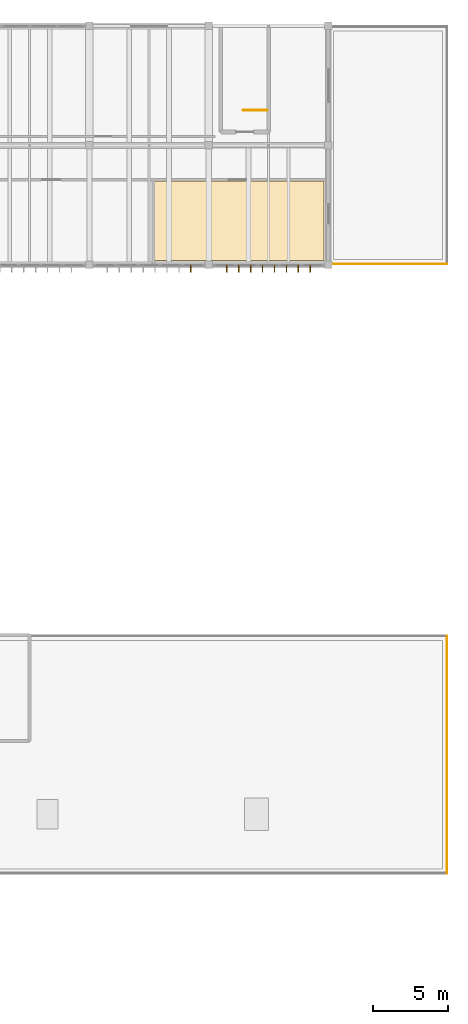
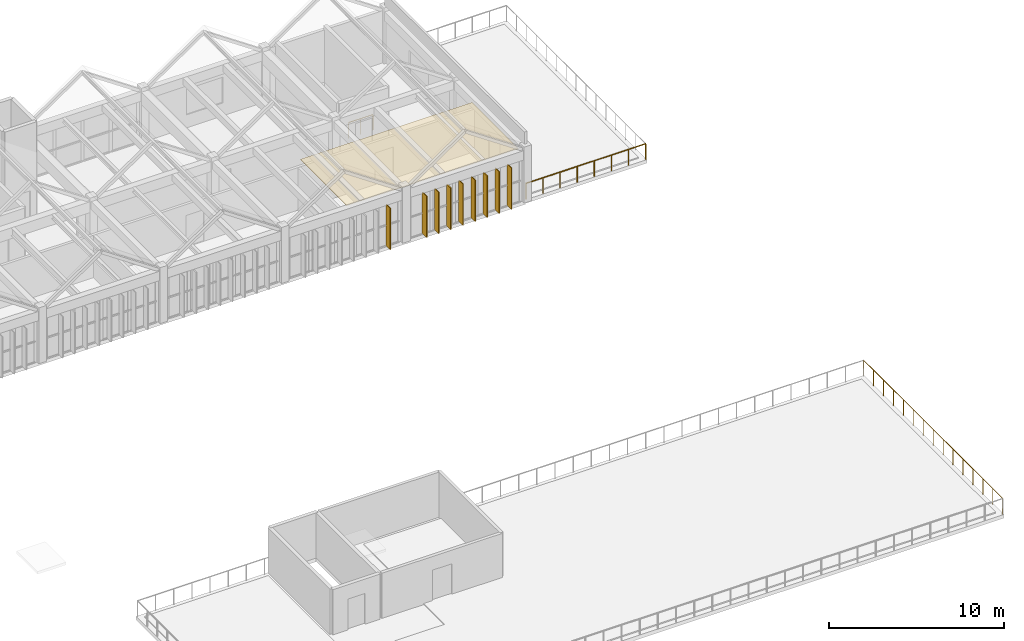
# One storey, part 30 of 31: 9 shading devices, 3 railings, 1 covering.
"""IFC4 building model written with IfcOpenShell, lengths in metres."""

from ifc_helpers import new_model, si_unit, direction, frame, origin, origin_2d, place, context, subcontext, project, spatial, polyline, rectangle, circle, outline, extrude, material, layer, layer_set, type_object, element, save


model = new_model("IFC4")

# Units and contexts
model_context = context("Model", 3, precision=1e-05, world=origin(), true_north=direction((0.0, 1.0)))
body_context = subcontext(model_context, "Body", "Model", "MODEL_VIEW")
ifc_project = project(units=[si_unit("LENGTHUNIT", "METRE"), si_unit("AREAUNIT", "SQUARE_METRE"), si_unit("VOLUMEUNIT", "CUBIC_METRE"), si_unit("PLANEANGLEUNIT", "RADIAN"), si_unit("MASSUNIT", "GRAM", prefix="KILO")], contexts=[model_context])

# Site, building, storey
site_placement = place(None, origin())
site = spatial("IfcSite", under=ifc_project, at=site_placement, CompositionType="ELEMENT")
building_placement = place(site_placement, origin())
building = spatial("IfcBuilding", under=site, at=building_placement, Name="Tlaxcora Railside Police Headquarters", CompositionType="ELEMENT")
storey_placement = place(building_placement, frame((0.0, 0.0, 18.0)))
storey = spatial("IfcBuildingStorey", under=building, at=storey_placement, Name="L04", CompositionType="ELEMENT", Elevation=18.0)

# Covering
ifc_material_1 = material(Name="Mineral-fibre acoustic ceiling tile")
ifc_layer_1 = layer(ifc_material_1, 0.034912109375, Name="Mineral-fibre acoustic ceiling tile")
ifc_layer_set_1 = layer_set([ifc_layer_1], Name="Mineral-fibre acoustic ceiling tile")
covering_type = type_object("IfcCoveringType", Name="Acoustic Suspended Ceiling CLG-01", PredefinedType="CEILING", material=ifc_layer_set_1)
covering_placement = place(storey_placement, frame((0.0, 0.0, 3.465087890625)))
element("IfcCovering", 1, at=covering_placement, inside=storey, type_object=covering_type, Name="Expert Court-Testimony Preparation Room suspended ceiling", PredefinedType="CEILING", context=body_context, shape_type="SweptSolid", body=[
    extrude(outline(polyline([(131.175048828125, 77.10009765625), (142.5, 77.10009765625), (142.5, 82.39990234375), (131.175048828125, 82.39990234375), (131.175048828125, 77.10009765625)])), origin(), (0.0, 0.0, 1.0), 0.034912109375),
])

# Shading devices
ifc_material_2 = material(Name="Bronze-anodised perforated aluminium sheet", Category="aluminium")
ifc_layer_2 = layer(ifc_material_2, 0.06494140625, Name="Bronze-anodised perforated aluminium sheet")
ifc_layer_set_2 = layer_set([ifc_layer_2], Name="Bronze-anodised perforated aluminium sheet")
shading_device_type = type_object("IfcShadingDeviceType", Name="Solar Control Fin SF-02", PredefinedType="JALOUSIE", material=ifc_layer_set_2)
for number, where, z_axis, x_axis, name in (
    (2, (133.60009765625, 76.5400390625, 0.0400390625), (0.0, 0.0, 1.0), (0.0, -1.0, 0.0), "Vertical solar fin 959"),
    (3, (136.0, 76.5400390625, 0.0400390625), (0.0, 0.0, 1.0), (0.0, -1.0, 0.0), "Vertical solar fin 960"),
    (4, (136.800048828125, 76.5400390625, 0.0400390625), (0.0, 0.0, 1.0), (0.0, -1.0, 0.0), "Vertical solar fin 961"),
    (5, (137.60009765625, 76.5400390625, 0.0400390625), (0.0, 0.0, 1.0), (0.0, -1.0, 0.0), "Vertical solar fin 962"),
    (6, (138.39990234375, 76.5400390625, 0.0400390625), (0.0, 0.0, 1.0), (0.0, -1.0, 0.0), "Vertical solar fin 963"),
    (7, (139.199951171875, 76.5400390625, 0.0400390625), (0.0, 0.0, 1.0), (0.0, -1.0, 0.0), "Vertical solar fin 964"),
    (8, (140.0, 76.5400390625, 0.0400390625), (0.0, 0.0, 1.0), (0.0, -1.0, 0.0), "Vertical solar fin 965"),
    (9, (140.800048828125, 76.5400390625, 0.0400390625), (0.0, 0.0, 1.0), (0.0, -1.0, 0.0), "Vertical solar fin 966"),
    (10, (141.60009765625, 76.5400390625, 0.0400390625), (0.0, 0.0, 1.0), (0.0, -1.0, 0.0), "Vertical solar fin 967"),
):
    element("IfcShadingDevice", number, at=place(storey_placement, frame(where, z_axis=z_axis, x_axis=x_axis)), inside=storey, type_object=shading_device_type, Name=name, PredefinedType="JALOUSIE", context=body_context, shape_type="SweptSolid", body=[
        extrude(rectangle(XDim=0.47998046875, YDim=0.054931640625, at=origin_2d()), origin(), (0.0, 0.0, 1.0), 2.89990234375),
    ])

# Railings
ifc_material_3 = material(Name="Steel ASTM A992 Grade 50", Category="steel")
railing_type_1 = type_object("IfcRailingType", Name="Stair Well Guard Balustrade GR-02", PredefinedType="BALUSTRADE", material=ifc_material_3)
railing_1_placement = place(storey_placement, frame((138.7099609375, 87.159912109375, 0.0)))
element("IfcRailing", 11, at=railing_1_placement, inside=storey, type_object=railing_type_1, Name="L04 ST8 top well guard 1", PredefinedType="BALUSTRADE", context=body_context, shape_type="SweptSolid", body=[
    extrude(circle(Radius=0.02392578125, at=origin_2d()), frame((0.0, 0.0, 1.09619140625), z_axis=(-1.0, 0.0, 0.0), x_axis=(0.0, -1.0, 0.0)), (0.0, 0.0, 1.0), 1.599853515625),
    extrude(circle(Radius=0.02099609375, at=origin_2d()), origin(), (0.0, 0.0, 1.0), 1.072021484375),
    extrude(circle(Radius=0.02099609375, at=origin_2d()), frame((-0.7998046875, 0.0, 0.0)), (0.0, 0.0, 1.0), 1.072021484375),
    extrude(circle(Radius=0.02099609375, at=origin_2d()), frame((-1.599853515625, 0.0, 0.0)), (0.0, 0.0, 1.0), 1.072021484375),
])
railing_type_2 = type_object("IfcRailingType", Name="Terrace Perimeter Guard Balustrade GR-01", PredefinedType="BALUSTRADE", material=ifc_material_3)
railing_2_placement = place(storey_placement, frame((142.85009765625, 76.85009765625, 0.0)))
element("IfcRailing", 12, at=railing_2_placement, inside=storey, type_object=railing_type_2, Name="TERR-V6-L04-E perimeter guard 1", PredefinedType="BALUSTRADE", context=body_context, shape_type="SweptSolid", body=[
    extrude(circle(Radius=0.02392578125, at=origin_2d()), frame((0.0, 0.0, 1.09619140625), z_axis=(1.0, 0.0, 0.0), x_axis=(0.0, 1.0, 0.0)), (0.0, 0.0, 1.0), 7.89990234375),
    extrude(circle(Radius=0.02099609375, at=origin_2d()), origin(), (0.0, 0.0, 1.0), 1.072021484375),
    extrude(circle(Radius=0.02099609375, at=origin_2d()), frame((1.128662109375, 0.0, 0.0)), (0.0, 0.0, 1.0), 1.072021484375),
    extrude(circle(Radius=0.02099609375, at=origin_2d()), frame((2.257080078125, 0.0, 0.0)), (0.0, 0.0, 1.0), 1.072021484375),
    extrude(circle(Radius=0.02099609375, at=origin_2d()), frame((3.3857421875, 0.0, 0.0)), (0.0, 0.0, 1.0), 1.072021484375),
    extrude(circle(Radius=0.02099609375, at=origin_2d()), frame((4.51416015625, 0.0, 0.0)), (0.0, 0.0, 1.0), 1.072021484375),
    extrude(circle(Radius=0.02099609375, at=origin_2d()), frame((5.642822265625, 0.0, 0.0)), (0.0, 0.0, 1.0), 1.072021484375),
    extrude(circle(Radius=0.02099609375, at=origin_2d()), frame((6.771240234375, 0.0, 0.0)), (0.0, 0.0, 1.0), 1.072021484375),
    extrude(circle(Radius=0.02099609375, at=origin_2d()), frame((7.89990234375, 0.0, 0.0)), (0.0, 0.0, 1.0), 1.072021484375),
])
railing_3_placement = place(storey_placement, frame((150.75, 36.050048828125, 0.0)))
element("IfcRailing", 13, at=railing_3_placement, inside=storey, type_object=railing_type_2, Name="TERR-V7-L04-RG perimeter guard 2", PredefinedType="BALUSTRADE", context=body_context, shape_type="SweptSolid", body=[
    extrude(circle(Radius=0.02392578125, at=origin_2d()), frame((0.0, 0.0, 1.09619140625), z_axis=(0.0, 1.0, 0.0), x_axis=(-1.0, 0.0, 0.0)), (0.0, 0.0, 1.0), 15.89990234375),
    extrude(circle(Radius=0.02099609375, at=origin_2d()), origin(), (0.0, 0.0, 1.0), 1.072021484375),
    extrude(circle(Radius=0.02099609375, at=origin_2d()), frame((0.0, 1.1357421875, 0.0)), (0.0, 0.0, 1.0), 1.072021484375),
    extrude(circle(Radius=0.02099609375, at=origin_2d()), frame((0.0, 2.271484375, 0.0)), (0.0, 0.0, 1.0), 1.072021484375),
    extrude(circle(Radius=0.02099609375, at=origin_2d()), frame((0.0, 3.4072265625, 0.0)), (0.0, 0.0, 1.0), 1.072021484375),
    extrude(circle(Radius=0.02099609375, at=origin_2d()), frame((0.0, 4.542724609375, 0.0)), (0.0, 0.0, 1.0), 1.072021484375),
    extrude(circle(Radius=0.02099609375, at=origin_2d()), frame((0.0, 5.678466796875, 0.0)), (0.0, 0.0, 1.0), 1.072021484375),
    extrude(circle(Radius=0.02099609375, at=origin_2d()), frame((0.0, 6.814208984375, 0.0)), (0.0, 0.0, 1.0), 1.072021484375),
    extrude(circle(Radius=0.02099609375, at=origin_2d()), frame((0.0, 7.949951171875, 0.0)), (0.0, 0.0, 1.0), 1.072021484375),
    extrude(circle(Radius=0.02099609375, at=origin_2d()), frame((0.0, 9.085693359375, 0.0)), (0.0, 0.0, 1.0), 1.072021484375),
    extrude(circle(Radius=0.02099609375, at=origin_2d()), frame((0.0, 10.221435546875, 0.0)), (0.0, 0.0, 1.0), 1.072021484375),
    extrude(circle(Radius=0.02099609375, at=origin_2d()), frame((0.0, 11.357177734375, 0.0)), (0.0, 0.0, 1.0), 1.072021484375),
    extrude(circle(Radius=0.02099609375, at=origin_2d()), frame((0.0, 12.49267578125, 0.0)), (0.0, 0.0, 1.0), 1.072021484375),
    extrude(circle(Radius=0.02099609375, at=origin_2d()), frame((0.0, 13.62841796875, 0.0)), (0.0, 0.0, 1.0), 1.072021484375),
    extrude(circle(Radius=0.02099609375, at=origin_2d()), frame((0.0, 14.76416015625, 0.0)), (0.0, 0.0, 1.0), 1.072021484375),
    extrude(circle(Radius=0.02099609375, at=origin_2d()), frame((0.0, 15.89990234375, 0.0)), (0.0, 0.0, 1.0), 1.072021484375),
])

save(model, "model.ifc")
